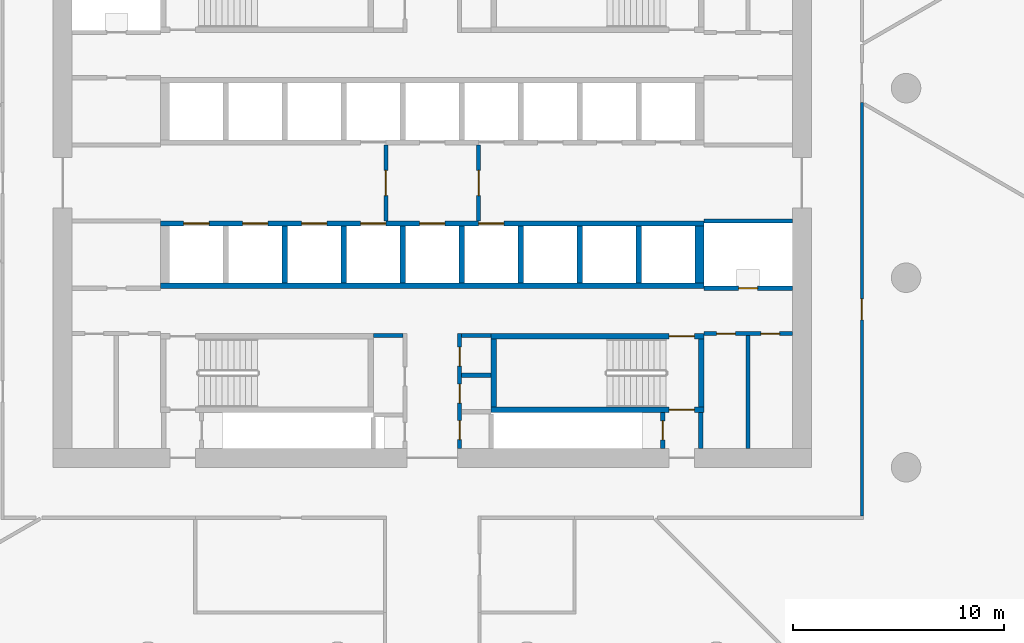
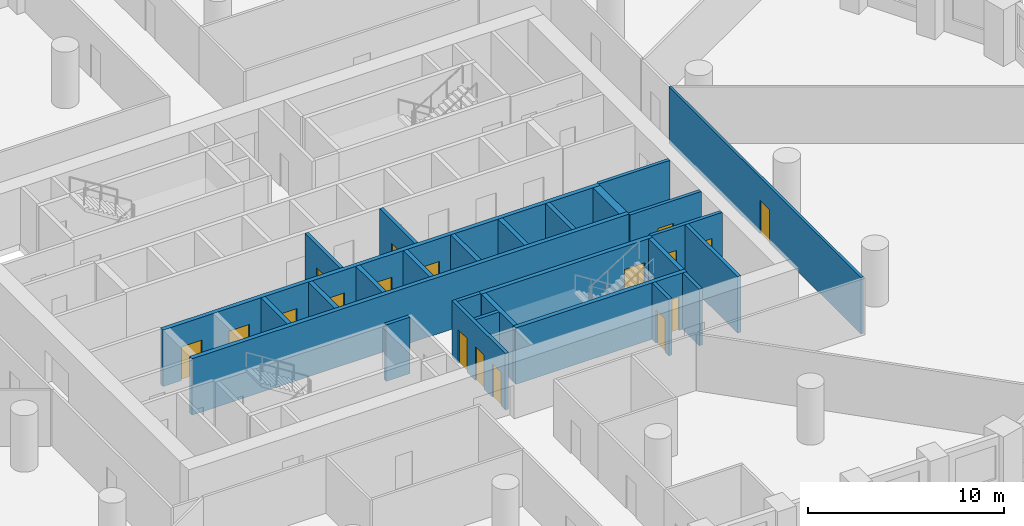
# One storey, part 4 of 10: 27 walls, 18 doors, 18 openings.
"""IFC4 building model written with IfcOpenShell, lengths in metres."""

from ifc_helpers import new_model, si_unit, direction, frame, frame_2d, origin, place, context, subcontext, project, spatial, polyline, rectangle, outline, extrude, material, layer, layer_set, type_object, element, fill, save


model = new_model("IFC4")

# Units and contexts
model_context = context("Model", 3, precision=1e-05, world=origin(), true_north=direction((0.0, 1.0)))
body_context = subcontext(model_context, "Body", "Model", "MODEL_VIEW")
ifc_project = project(units=[si_unit("LENGTHUNIT", "METRE"), si_unit("AREAUNIT", "SQUARE_METRE"), si_unit("VOLUMEUNIT", "CUBIC_METRE"), si_unit("PLANEANGLEUNIT", "RADIAN"), si_unit("MASSUNIT", "GRAM", prefix="KILO")], contexts=[model_context])

# Site, building, storey
site_placement = place(None, origin())
site = spatial("IfcSite", under=ifc_project, at=site_placement, CompositionType="ELEMENT")
building_placement = place(site_placement, origin())
building = spatial("IfcBuilding", under=site, at=building_placement, Name="Dhurran Vertical Campus", CompositionType="ELEMENT")
storey_placement = place(building_placement, frame((0.0, 0.0, 49.5)))
storey = spatial("IfcBuildingStorey", under=building, at=storey_placement, Name="L11", CompositionType="ELEMENT", Elevation=49.5)

# Wall, opening, door
ifc_material_1 = material(Name="Fire-rated masonry blockwork", Category="masonry")
ifc_layer_1 = layer(ifc_material_1, 0.199951171875)
ifc_layer_set_1 = layer_set([ifc_layer_1], Name="Fire-rated masonry blockwork")
wall_type_1 = type_object("IfcWallType", Name="co-FIRE-PARTITION-200", PredefinedType="PARTITIONING", material=ifc_layer_set_1)
wall_1_placement = place(storey_placement, frame((-2.199951171875, -1.800048828125, 0.0), z_axis=(0.0, 0.0, 1.0), x_axis=(0.0, 1.0, 0.0)))
wall_1 = element("IfcWall", 1, at=wall_1_placement, inside=storey, type_object=wall_type_1, Name="Firefighting lobby wall W L11", PredefinedType="PARTITIONING", context=body_context, shape_type="SweptSolid", body=[
    extrude(rectangle(XDim=3.60009765625, YDim=0.199951171875, at=frame_2d((1.800048828125, 0.0))), origin(), (0.0, 0.0, 1.0), 3.52490234375),
])
opening_1_placement = place(wall_1_placement, frame((1.199951171875, 0.0, 0.0)))
opening_1 = element("IfcOpeningElement", 2, at=opening_1_placement, cuts=wall_1, Name="Opening FL1", PredefinedType="OPENING", context=body_context, shape_type="SweptSolid", body=[
    extrude(rectangle(XDim=1.199951171875, YDim=2.10009765625, at=frame_2d((0.60009765625, 1.050048828125))), frame((0.0, 0.10986328125, 0.0), z_axis=(0.0, -1.0, 0.0), x_axis=(1.0, 0.0, 0.0)), (0.0, 0.0, 1.0), 0.219970703125),
])
ifc_material_2 = material(Name="Fire-rated steel door set", Category="steel")
door_type_1 = type_object("IfcDoorType", Name="co-D-FFLOBBY 1200x2100", OperationType="SINGLE_SWING_LEFT", PredefinedType="DOOR", material=ifc_material_2)
door_1_placement = place(opening_1_placement, origin())
door_1 = element("IfcDoor", 3, at=door_1_placement, inside=storey, type_object=door_type_1, Name="Firefighting lobby door W L11", OperationType="SINGLE_SWING_LEFT", OverallHeight=2.10009765625, OverallWidth=1.199951171875, PredefinedType="DOOR", context=body_context, shape_type="SweptSolid", body=[
    extrude(rectangle(XDim=1.199951171875, YDim=2.10009765625, at=frame_2d((0.60009765625, 1.050048828125))), frame((0.0, 0.02490234375, 0.0), z_axis=(0.0, -1.0, 0.0), x_axis=(1.0, 0.0, 0.0)), (0.0, 0.0, 1.0), 0.050048828125),
])
fill(opening_1, door_1)

wall_2_placement = place(storey_placement, frame((2.199951171875, -1.800048828125, 0.0), z_axis=(0.0, 0.0, 1.0), x_axis=(0.0, 1.0, 0.0)))
wall_2 = element("IfcWall", 4, at=wall_2_placement, inside=storey, type_object=wall_type_1, Name="Firefighting lobby wall E L11", PredefinedType="PARTITIONING", context=body_context, shape_type="SweptSolid", body=[
    extrude(rectangle(XDim=3.60009765625, YDim=0.199951171875, at=frame_2d((1.800048828125, 0.0))), origin(), (0.0, 0.0, 1.0), 3.52490234375),
])
opening_2_placement = place(wall_2_placement, frame((1.199951171875, 0.0, 0.0)))
opening_2 = element("IfcOpeningElement", 5, at=opening_2_placement, cuts=wall_2, Name="Opening FL2", PredefinedType="OPENING", context=body_context, shape_type="SweptSolid", body=[
    extrude(rectangle(XDim=1.199951171875, YDim=2.10009765625, at=frame_2d((0.60009765625, 1.050048828125))), frame((0.0, 0.10986328125, 0.0), z_axis=(0.0, -1.0, 0.0), x_axis=(1.0, 0.0, 0.0)), (0.0, 0.0, 1.0), 0.219970703125),
])
door_2_placement = place(opening_2_placement, origin())
door_2 = element("IfcDoor", 6, at=door_2_placement, inside=storey, type_object=door_type_1, Name="Firefighting lobby door E L11", OperationType="SINGLE_SWING_LEFT", OverallHeight=2.10009765625, OverallWidth=1.199951171875, PredefinedType="DOOR", context=body_context, shape_type="SweptSolid", body=[
    extrude(rectangle(XDim=1.199951171875, YDim=2.10009765625, at=frame_2d((0.60009765625, 1.050048828125))), frame((0.0, 0.02490234375, 0.0), z_axis=(0.0, -1.0, 0.0), x_axis=(1.0, 0.0, 0.0)), (0.0, 0.0, 1.0), 0.050048828125),
])
fill(opening_2, door_2)

# Walls
for number, where, z_axis, x_axis, name in (
    (7, (-2.800048828125, -7.25, 0.0), (0.0, 0.0, 1.0), (1.0, 0.0, 0.0), "Core partition sl-SW-S L11"),
    (8, (1.39990234375, -7.25, 0.0), (0.0, 0.0, 1.0), (1.0, 0.0, 0.0), "Core partition sl-SE-S L11"),
    (9, (1.39990234375, -9.135009765625, 0.0), (0.0, 0.0, 1.0), (1.0, 0.0, 0.0), "Core partition sl-SE-cut0 L11"),
):
    element("IfcWall", number, at=place(storey_placement, frame(where, z_axis=z_axis, x_axis=x_axis)), inside=storey, type_object=wall_type_1, Name=name, PredefinedType="PARTITIONING", context=body_context, shape_type="SweptSolid", body=[
        extrude(rectangle(XDim=1.400146484375, YDim=0.199951171875, at=frame_2d((0.7001953125, 0.0))), origin(), (0.0, 0.0, 1.0), 3.52490234375),
    ])

# Wall, openings, doors
wall_3_placement = place(storey_placement, frame((1.300048828125, -12.60009765625, 0.0), z_axis=(0.0, 0.0, 1.0), x_axis=(0.0, 1.0, 0.0)))
wall_3 = element("IfcWall", 10, at=wall_3_placement, inside=storey, type_object=wall_type_1, Name="Core partition vest-SE L11", PredefinedType="PARTITIONING", context=body_context, shape_type="SweptSolid", body=[
    extrude(rectangle(XDim=5.4501953125, YDim=0.199951171875, at=frame_2d((2.72509765625, 0.0))), origin(), (0.0, 0.0, 1.0), 3.52490234375),
])
opening_3_placement = place(wall_3_placement, frame((0.416259765625, 0.0, 0.0)))
opening_3 = element("IfcOpeningElement", 11, at=opening_3_placement, cuts=wall_3, Name="Opening T02-C3", PredefinedType="OPENING", context=body_context, shape_type="SweptSolid", body=[
    extrude(rectangle(XDim=0.89990234375, YDim=2.10009765625, at=frame_2d((0.449951171875, 1.050048828125))), frame((0.0, 0.10986328125, 0.0), z_axis=(0.0, -1.0, 0.0), x_axis=(1.0, 0.0, 0.0)), (0.0, 0.0, 1.0), 0.219970703125),
])
opening_4_placement = place(wall_3_placement, frame((2.148681640625, 0.0, 0.0)))
opening_4 = element("IfcOpeningElement", 12, at=opening_4_placement, cuts=wall_3, Name="Opening T02-C4", PredefinedType="OPENING", context=body_context, shape_type="SweptSolid", body=[
    extrude(rectangle(XDim=0.89990234375, YDim=2.10009765625, at=frame_2d((0.449951171875, 1.050048828125))), frame((0.0, 0.10986328125, 0.0), z_axis=(0.0, -1.0, 0.0), x_axis=(1.0, 0.0, 0.0)), (0.0, 0.0, 1.0), 0.219970703125),
])
opening_5_placement = place(wall_3_placement, frame((3.907470703125, 0.0, 0.0)))
opening_5 = element("IfcOpeningElement", 13, at=opening_5_placement, cuts=wall_3, Name="Opening T02-C5", PredefinedType="OPENING", context=body_context, shape_type="SweptSolid", body=[
    extrude(rectangle(XDim=0.89990234375, YDim=2.10009765625, at=frame_2d((0.449951171875, 1.050048828125))), frame((0.0, 0.10986328125, 0.0), z_axis=(0.0, -1.0, 0.0), x_axis=(1.0, 0.0, 0.0)), (0.0, 0.0, 1.0), 0.219970703125),
])
ifc_material_3 = material(Name="Fire-rated timber door set", Category="wood")
door_type_2 = type_object("IfcDoorType", Name="co-D-ROOM 900x2100", OperationType="SINGLE_SWING_LEFT", PredefinedType="DOOR", material=ifc_material_3)
door_3_placement = place(opening_3_placement, origin())
door_3 = element("IfcDoor", 14, at=door_3_placement, inside=storey, type_object=door_type_2, Name="Housekeeping store door L11", OperationType="SINGLE_SWING_LEFT", OverallHeight=2.10009765625, OverallWidth=0.89990234375, PredefinedType="DOOR", context=body_context, shape_type="SweptSolid", body=[
    extrude(rectangle(XDim=0.89990234375, YDim=2.10009765625, at=frame_2d((0.449951171875, 1.050048828125))), frame((0.0, 0.02490234375, 0.0), z_axis=(0.0, -1.0, 0.0), x_axis=(1.0, 0.0, 0.0)), (0.0, 0.0, 1.0), 0.050048828125),
])
fill(opening_3, door_3)
door_4_placement = place(opening_4_placement, origin())
door_4 = element("IfcDoor", 15, at=door_4_placement, inside=storey, type_object=door_type_2, Name="Print room door L11", OperationType="SINGLE_SWING_LEFT", OverallHeight=2.10009765625, OverallWidth=0.89990234375, PredefinedType="DOOR", context=body_context, shape_type="SweptSolid", body=[
    extrude(rectangle(XDim=0.89990234375, YDim=2.10009765625, at=frame_2d((0.449951171875, 1.050048828125))), frame((0.0, 0.02490234375, 0.0), z_axis=(0.0, -1.0, 0.0), x_axis=(1.0, 0.0, 0.0)), (0.0, 0.0, 1.0), 0.050048828125),
])
fill(opening_4, door_4)
door_5_placement = place(opening_5_placement, origin())
door_5 = element("IfcDoor", 16, at=door_5_placement, inside=storey, type_object=door_type_2, Name="Communications room door L11", OperationType="SINGLE_SWING_LEFT", OverallHeight=2.10009765625, OverallWidth=0.89990234375, PredefinedType="DOOR", context=body_context, shape_type="SweptSolid", body=[
    extrude(rectangle(XDim=0.89990234375, YDim=2.10009765625, at=frame_2d((0.449951171875, 1.050048828125))), frame((0.0, 0.02490234375, 0.0), z_axis=(0.0, -1.0, 0.0), x_axis=(1.0, 0.0, 0.0)), (0.0, 0.0, 1.0), 0.050048828125),
])
fill(opening_5, door_5)

# Wall
wall_4_placement = place(storey_placement, frame((12.75, -12.60009765625, 0.0), z_axis=(0.0, 0.0, 1.0), x_axis=(0.0, 1.0, 0.0)))
element("IfcWall", 17, at=wall_4_placement, inside=storey, type_object=wall_type_1, Name="Core partition pass-ST4-o L11", PredefinedType="PARTITIONING", context=body_context, shape_type="SweptSolid", body=[
    extrude(rectangle(XDim=1.7001953125, YDim=0.199951171875, at=frame_2d((0.85009765625, 0.0))), origin(), (0.0, 0.0, 1.0), 3.52490234375),
])

# Wall, opening, door
wall_5_placement = place(storey_placement, frame((10.949951171875, -12.60009765625, 0.0), z_axis=(0.0, 0.0, 1.0), x_axis=(0.0, 1.0, 0.0)))
wall_5 = element("IfcWall", 18, at=wall_5_placement, inside=storey, type_object=wall_type_1, Name="Core partition pass-ST4-i L11", PredefinedType="PARTITIONING", context=body_context, shape_type="SweptSolid", body=[
    extrude(rectangle(XDim=1.7001953125, YDim=0.199951171875, at=frame_2d((0.85009765625, 0.0))), origin(), (0.0, 0.0, 1.0), 3.52490234375),
])
opening_6_placement = place(wall_5_placement, frame((0.39990234375, 0.0, 0.0)))
opening_6 = element("IfcOpeningElement", 19, at=opening_6_placement, cuts=wall_5, Name="Opening T02-C13", PredefinedType="OPENING", context=body_context, shape_type="SweptSolid", body=[
    extrude(rectangle(XDim=0.89990234375, YDim=2.10009765625, at=frame_2d((0.449951171875, 1.050048828125))), frame((0.0, 0.10986328125, 0.0), z_axis=(0.0, -1.0, 0.0), x_axis=(1.0, 0.0, 0.0)), (0.0, 0.0, 1.0), 0.219970703125),
])
door_6_placement = place(opening_6_placement, origin())
door_6 = element("IfcDoor", 20, at=door_6_placement, inside=storey, type_object=door_type_2, Name="Riser room door L11", OperationType="SINGLE_SWING_LEFT", OverallHeight=2.10009765625, OverallWidth=0.89990234375, PredefinedType="DOOR", context=body_context, shape_type="SweptSolid", body=[
    extrude(rectangle(XDim=0.89990234375, YDim=2.10009765625, at=frame_2d((0.449951171875, 1.050048828125))), frame((0.0, 0.02490234375, 0.0), z_axis=(0.0, -1.0, 0.0), x_axis=(1.0, 0.0, 0.0)), (0.0, 0.0, 1.0), 0.050048828125),
])
fill(opening_6, door_6)

# Wall
wall_6_placement = place(storey_placement, frame((15.0, -12.60009765625, 0.0), z_axis=(0.0, 0.0, 1.0), x_axis=(0.0, 1.0, 0.0)))
element("IfcWall", 21, at=wall_6_placement, inside=storey, type_object=wall_type_1, Name="Core partition en-SE-cut0 L11", PredefinedType="PARTITIONING", context=body_context, shape_type="SweptSolid", body=[
    extrude(rectangle(XDim=5.4501953125, YDim=0.199951171875, at=frame_2d((2.72509765625, 0.0))), origin(), (0.0, 0.0, 1.0), 3.52490234375),
])

# Wall, openings, doors
wall_7_placement = place(storey_placement, frame((12.89990234375, -7.14990234375, 0.0), z_axis=(0.0, 0.0, 1.0), x_axis=(1.0, 0.0, 0.0)))
wall_7 = element("IfcWall", 22, at=wall_7_placement, inside=storey, type_object=wall_type_1, Name="Core partition en-SE-w L11", PredefinedType="PARTITIONING", context=body_context, shape_type="SweptSolid", body=[
    extrude(rectangle(XDim=4.2001953125, YDim=0.199951171875, at=frame_2d((2.10009765625, 0.0))), origin(), (0.0, 0.0, 1.0), 3.52490234375),
])
opening_7_placement = place(wall_7_placement, frame((0.60009765625, 0.0, 0.0)))
opening_7 = element("IfcOpeningElement", 23, at=opening_7_placement, cuts=wall_7, Name="Opening T02-C22", PredefinedType="OPENING", context=body_context, shape_type="SweptSolid", body=[
    extrude(rectangle(XDim=0.89990234375, YDim=2.10009765625, at=frame_2d((0.449951171875, 1.050048828125))), frame((0.0, 0.10986328125, 0.0), z_axis=(0.0, -1.0, 0.0), x_axis=(1.0, 0.0, 0.0)), (0.0, 0.0, 1.0), 0.219970703125),
])
opening_8_placement = place(wall_7_placement, frame((2.699951171875, 0.0, 0.0)))
opening_8 = element("IfcOpeningElement", 24, at=opening_8_placement, cuts=wall_7, Name="Opening T02-C23", PredefinedType="OPENING", context=body_context, shape_type="SweptSolid", body=[
    extrude(rectangle(XDim=0.89990234375, YDim=2.10009765625, at=frame_2d((0.449951171875, 1.050048828125))), frame((0.0, 0.10986328125, 0.0), z_axis=(0.0, -1.0, 0.0), x_axis=(1.0, 0.0, 0.0)), (0.0, 0.0, 1.0), 0.219970703125),
])
door_7_placement = place(opening_7_placement, origin())
door_7 = element("IfcDoor", 25, at=door_7_placement, inside=storey, type_object=door_type_2, Name="Store door L11", OperationType="SINGLE_SWING_LEFT", OverallHeight=2.10009765625, OverallWidth=0.89990234375, PredefinedType="DOOR", context=body_context, shape_type="SweptSolid", body=[
    extrude(rectangle(XDim=0.89990234375, YDim=2.10009765625, at=frame_2d((0.449951171875, 1.050048828125))), frame((0.0, 0.02490234375, 0.0), z_axis=(0.0, -1.0, 0.0), x_axis=(1.0, 0.0, 0.0)), (0.0, 0.0, 1.0), 0.050048828125),
])
fill(opening_7, door_7)
door_8_placement = place(opening_8_placement, origin())
door_8 = element("IfcDoor", 26, at=door_8_placement, inside=storey, type_object=door_type_2, Name="Housekeeping store door L11", OperationType="SINGLE_SWING_LEFT", OverallHeight=2.10009765625, OverallWidth=0.89990234375, PredefinedType="DOOR", context=body_context, shape_type="SweptSolid", body=[
    extrude(rectangle(XDim=0.89990234375, YDim=2.10009765625, at=frame_2d((0.449951171875, 1.050048828125))), frame((0.0, 0.02490234375, 0.0), z_axis=(0.0, -1.0, 0.0), x_axis=(1.0, 0.0, 0.0)), (0.0, 0.0, 1.0), 0.050048828125),
])
fill(opening_8, door_8)

# Wall, opening, door
wall_8_placement = place(storey_placement, frame((12.89990234375, -5.0, 0.0), z_axis=(0.0, 0.0, 1.0), x_axis=(1.0, 0.0, 0.0)))
wall_8 = element("IfcWall", 27, at=wall_8_placement, inside=storey, type_object=wall_type_1, Name="Core partition es-SE-w L11", PredefinedType="PARTITIONING", context=body_context, shape_type="SweptSolid", body=[
    extrude(rectangle(XDim=4.2001953125, YDim=0.199951171875, at=frame_2d((2.10009765625, 0.0))), origin(), (0.0, 0.0, 1.0), 3.52490234375),
])
opening_9_placement = place(wall_8_placement, frame((1.64990234375, 0.0, 0.0)))
opening_9 = element("IfcOpeningElement", 28, at=opening_9_placement, cuts=wall_8, Name="Opening T02-C24", PredefinedType="OPENING", context=body_context, shape_type="SweptSolid", body=[
    extrude(rectangle(XDim=0.89990234375, YDim=2.10009765625, at=frame_2d((0.449951171875, 1.050048828125))), frame((0.0, 0.10986328125, 0.0), z_axis=(0.0, -1.0, 0.0), x_axis=(1.0, 0.0, 0.0)), (0.0, 0.0, 1.0), 0.219970703125),
])
door_9_placement = place(opening_9_placement, origin())
door_9 = element("IfcDoor", 29, at=door_9_placement, inside=storey, type_object=door_type_2, Name="Water riser door L11", OperationType="SINGLE_SWING_LEFT", OverallHeight=2.10009765625, OverallWidth=0.89990234375, PredefinedType="DOOR", context=body_context, shape_type="SweptSolid", body=[
    extrude(rectangle(XDim=0.89990234375, YDim=2.10009765625, at=frame_2d((0.449951171875, 1.050048828125))), frame((0.0, 0.02490234375, 0.0), z_axis=(0.0, -1.0, 0.0), x_axis=(1.0, 0.0, 0.0)), (0.0, 0.0, 1.0), 0.050048828125),
])
fill(opening_9, door_9)

# Wall
wall_9_placement = place(storey_placement, frame((12.89990234375, -1.800048828125, 0.0), z_axis=(0.0, 0.0, 1.0), x_axis=(1.0, 0.0, 0.0)))
element("IfcWall", 30, at=wall_9_placement, inside=storey, type_object=wall_type_1, Name="Core partition es-SE-l L11", PredefinedType="PARTITIONING", context=body_context, shape_type="SweptSolid", body=[
    extrude(rectangle(XDim=4.2001953125, YDim=0.199951171875, at=frame_2d((2.10009765625, 0.0))), origin(), (0.0, 0.0, 1.0), 3.52490234375),
])

# Wall, openings, doors
ifc_material_4 = material(Name="Concrete C50/60", Category="concrete")
ifc_layer_2 = layer(ifc_material_4, 0.25)
ifc_layer_set_2 = layer_set([ifc_layer_2], Name="Concrete C50/60")
wall_type_2 = type_object("IfcWallType", Name="co-SHAFT-FRONT-250", PredefinedType="SHEAR", material=ifc_layer_set_2)
wall_10_placement = place(storey_placement, frame((-12.89990234375, -1.925048828125, 0.0), z_axis=(0.0, 0.0, 1.0), x_axis=(1.0, 0.0, 0.0)))
wall_10 = element("IfcWall", 31, at=wall_10_placement, inside=storey, type_object=wall_type_2, Name="Lift landing wall S L11", PredefinedType="SHEAR", context=body_context, shape_type="SweptSolid", body=[
    extrude(rectangle(XDim=25.7998046875, YDim=0.25, at=frame_2d((12.89990234375, 0.0))), origin(), (0.0, 0.0, 1.0), 3.52490234375),
])
opening_10_placement = place(wall_10_placement, frame((1.10009765625, 0.0, 0.0)))
opening_10 = element("IfcOpeningElement", 32, at=opening_10_placement, cuts=wall_10, Name="Opening LD", PredefinedType="OPENING", context=body_context, shape_type="SweptSolid", body=[
    extrude(rectangle(XDim=1.199951171875, YDim=2.10009765625, at=frame_2d((0.60009765625, 1.050048828125))), frame((0.0, 0.135009765625, 0.0), z_axis=(0.0, -1.0, 0.0), x_axis=(1.0, 0.0, 0.0)), (0.0, 0.0, 1.0), 0.27001953125),
])
opening_11_placement = place(wall_10_placement, frame((3.89990234375, 0.0, 0.0)))
opening_11 = element("IfcOpeningElement", 33, at=opening_11_placement, cuts=wall_10, Name="Opening LD", PredefinedType="OPENING", context=body_context, shape_type="SweptSolid", body=[
    extrude(rectangle(XDim=1.199951171875, YDim=2.10009765625, at=frame_2d((0.60009765625, 1.050048828125))), frame((0.0, 0.135009765625, 0.0), z_axis=(0.0, -1.0, 0.0), x_axis=(1.0, 0.0, 0.0)), (0.0, 0.0, 1.0), 0.27001953125),
])
opening_12_placement = place(wall_10_placement, frame((6.699951171875, 0.0, 0.0)))
opening_12 = element("IfcOpeningElement", 34, at=opening_12_placement, cuts=wall_10, Name="Opening LD", PredefinedType="OPENING", context=body_context, shape_type="SweptSolid", body=[
    extrude(rectangle(XDim=1.199951171875, YDim=2.10009765625, at=frame_2d((0.60009765625, 1.050048828125))), frame((0.0, 0.135009765625, 0.0), z_axis=(0.0, -1.0, 0.0), x_axis=(1.0, 0.0, 0.0)), (0.0, 0.0, 1.0), 0.27001953125),
])
opening_13_placement = place(wall_10_placement, frame((9.5, 0.0, 0.0)))
opening_13 = element("IfcOpeningElement", 35, at=opening_13_placement, cuts=wall_10, Name="Opening LD", PredefinedType="OPENING", context=body_context, shape_type="SweptSolid", body=[
    extrude(rectangle(XDim=1.199951171875, YDim=2.10009765625, at=frame_2d((0.60009765625, 1.050048828125))), frame((0.0, 0.135009765625, 0.0), z_axis=(0.0, -1.0, 0.0), x_axis=(1.0, 0.0, 0.0)), (0.0, 0.0, 1.0), 0.27001953125),
])
opening_14_placement = place(wall_10_placement, frame((12.300048828125, 0.0, 0.0)))
opening_14 = element("IfcOpeningElement", 36, at=opening_14_placement, cuts=wall_10, Name="Opening LD", PredefinedType="OPENING", context=body_context, shape_type="SweptSolid", body=[
    extrude(rectangle(XDim=1.199951171875, YDim=2.10009765625, at=frame_2d((0.60009765625, 1.050048828125))), frame((0.0, 0.135009765625, 0.0), z_axis=(0.0, -1.0, 0.0), x_axis=(1.0, 0.0, 0.0)), (0.0, 0.0, 1.0), 0.27001953125),
])
opening_15_placement = place(wall_10_placement, frame((15.10009765625, 0.0, 0.0)))
opening_15 = element("IfcOpeningElement", 37, at=opening_15_placement, cuts=wall_10, Name="Opening LD", PredefinedType="OPENING", context=body_context, shape_type="SweptSolid", body=[
    extrude(rectangle(XDim=1.199951171875, YDim=2.10009765625, at=frame_2d((0.60009765625, 1.050048828125))), frame((0.0, 0.135009765625, 0.0), z_axis=(0.0, -1.0, 0.0), x_axis=(1.0, 0.0, 0.0)), (0.0, 0.0, 1.0), 0.27001953125),
])
ifc_material_5 = material(Name="Stainless steel landing door", Category="steel")
door_type_3 = type_object("IfcDoorType", Name="co-D-LANDING 1200x2100", OperationType="DOUBLE_DOOR_SLIDING", PredefinedType="DOOR", material=ifc_material_5)
door_10_placement = place(opening_10_placement, origin())
door_10 = element("IfcDoor", 38, at=door_10_placement, inside=storey, type_object=door_type_3, Name="Landing door LR5 L11", OperationType="DOUBLE_DOOR_SLIDING", OverallHeight=2.10009765625, OverallWidth=1.199951171875, PredefinedType="DOOR", context=body_context, shape_type="SweptSolid", body=[
    extrude(rectangle(XDim=1.199951171875, YDim=2.10009765625, at=frame_2d((0.60009765625, 1.050048828125))), frame((0.0, 0.02490234375, 0.0), z_axis=(0.0, -1.0, 0.0), x_axis=(1.0, 0.0, 0.0)), (0.0, 0.0, 1.0), 0.050048828125),
])
fill(opening_10, door_10)
door_11_placement = place(opening_11_placement, origin())
door_11 = element("IfcDoor", 39, at=door_11_placement, inside=storey, type_object=door_type_3, Name="Landing door LR6 L11", OperationType="DOUBLE_DOOR_SLIDING", OverallHeight=2.10009765625, OverallWidth=1.199951171875, PredefinedType="DOOR", context=body_context, shape_type="SweptSolid", body=[
    extrude(rectangle(XDim=1.199951171875, YDim=2.10009765625, at=frame_2d((0.60009765625, 1.050048828125))), frame((0.0, 0.02490234375, 0.0), z_axis=(0.0, -1.0, 0.0), x_axis=(1.0, 0.0, 0.0)), (0.0, 0.0, 1.0), 0.050048828125),
])
fill(opening_11, door_11)
door_12_placement = place(opening_12_placement, origin())
door_12 = element("IfcDoor", 40, at=door_12_placement, inside=storey, type_object=door_type_3, Name="Landing door LR7 L11", OperationType="DOUBLE_DOOR_SLIDING", OverallHeight=2.10009765625, OverallWidth=1.199951171875, PredefinedType="DOOR", context=body_context, shape_type="SweptSolid", body=[
    extrude(rectangle(XDim=1.199951171875, YDim=2.10009765625, at=frame_2d((0.60009765625, 1.050048828125))), frame((0.0, 0.02490234375, 0.0), z_axis=(0.0, -1.0, 0.0), x_axis=(1.0, 0.0, 0.0)), (0.0, 0.0, 1.0), 0.050048828125),
])
fill(opening_12, door_12)
door_13_placement = place(opening_13_placement, origin())
door_13 = element("IfcDoor", 41, at=door_13_placement, inside=storey, type_object=door_type_3, Name="Landing door LR8 L11", OperationType="DOUBLE_DOOR_SLIDING", OverallHeight=2.10009765625, OverallWidth=1.199951171875, PredefinedType="DOOR", context=body_context, shape_type="SweptSolid", body=[
    extrude(rectangle(XDim=1.199951171875, YDim=2.10009765625, at=frame_2d((0.60009765625, 1.050048828125))), frame((0.0, 0.02490234375, 0.0), z_axis=(0.0, -1.0, 0.0), x_axis=(1.0, 0.0, 0.0)), (0.0, 0.0, 1.0), 0.050048828125),
])
fill(opening_13, door_13)
door_14_placement = place(opening_14_placement, origin())
door_14 = element("IfcDoor", 42, at=door_14_placement, inside=storey, type_object=door_type_3, Name="Landing door FF2 L11", OperationType="DOUBLE_DOOR_SLIDING", OverallHeight=2.10009765625, OverallWidth=1.199951171875, PredefinedType="DOOR", context=body_context, shape_type="SweptSolid", body=[
    extrude(rectangle(XDim=1.199951171875, YDim=2.10009765625, at=frame_2d((0.60009765625, 1.050048828125))), frame((0.0, 0.02490234375, 0.0), z_axis=(0.0, -1.0, 0.0), x_axis=(1.0, 0.0, 0.0)), (0.0, 0.0, 1.0), 0.050048828125),
])
fill(opening_14, door_14)
door_15_placement = place(opening_15_placement, origin())
door_15 = element("IfcDoor", 43, at=door_15_placement, inside=storey, type_object=door_type_3, Name="Landing door SV1 L11", OperationType="DOUBLE_DOOR_SLIDING", OverallHeight=2.10009765625, OverallWidth=1.199951171875, PredefinedType="DOOR", context=body_context, shape_type="SweptSolid", body=[
    extrude(rectangle(XDim=1.199951171875, YDim=2.10009765625, at=frame_2d((0.60009765625, 1.050048828125))), frame((0.0, 0.02490234375, 0.0), z_axis=(0.0, -1.0, 0.0), x_axis=(1.0, 0.0, 0.0)), (0.0, 0.0, 1.0), 0.050048828125),
])
fill(opening_15, door_15)

# Walls
ifc_material_6 = material(Name="Concrete C50/60", Category="concrete")
ifc_layer_3 = layer(ifc_material_6, 0.25)
ifc_layer_set_3 = layer_set([ifc_layer_3], Name="Concrete C50/60")
wall_type_3 = type_object("IfcWallType", Name="co-SHAFT-MASS-250", PredefinedType="SHEAR", material=ifc_layer_set_3)
wall_11_placement = place(storey_placement, origin())
element("IfcWall", 44, at=wall_11_placement, inside=storey, type_object=wall_type_3, Name="Lift shaft wall S L11 1", PredefinedType="SHEAR", context=body_context, shape_type="SweptSolid", body=[
    extrude(outline(polyline([(-12.89990234375, -5.0), (12.89990234375, -5.0), (12.89990234375, -4.75), (-12.89990234375, -4.75), (-12.89990234375, -5.0)])), origin(), (0.0, 0.0, 1.0), 3.52490234375),
])
wall_12_placement = place(storey_placement, origin())
element("IfcWall", 45, at=wall_12_placement, inside=storey, type_object=wall_type_3, Name="Lift shaft wall S L11 4", PredefinedType="SHEAR", context=body_context, shape_type="SweptSolid", body=[
    extrude(outline(polyline([(-7.125, -4.75), (-6.875, -4.75), (-6.875, -2.050048828125), (-7.125, -2.050048828125), (-7.125, -4.75)])), origin(), (0.0, 0.0, 1.0), 3.52490234375),
])
wall_13_placement = place(storey_placement, origin())
element("IfcWall", 46, at=wall_13_placement, inside=storey, type_object=wall_type_3, Name="Lift shaft wall S L11 5", PredefinedType="SHEAR", context=body_context, shape_type="SweptSolid", body=[
    extrude(outline(polyline([(-4.324951171875, -4.75), (-4.074951171875, -4.75), (-4.074951171875, -2.050048828125), (-4.324951171875, -2.050048828125), (-4.324951171875, -4.75)])), origin(), (0.0, 0.0, 1.0), 3.52490234375),
])
wall_14_placement = place(storey_placement, origin())
element("IfcWall", 47, at=wall_14_placement, inside=storey, type_object=wall_type_3, Name="Lift shaft wall S L11 6", PredefinedType="SHEAR", context=body_context, shape_type="SweptSolid", body=[
    extrude(outline(polyline([(-1.52490234375, -4.75), (-1.27490234375, -4.75), (-1.27490234375, -2.050048828125), (-1.52490234375, -2.050048828125), (-1.52490234375, -4.75)])), origin(), (0.0, 0.0, 1.0), 3.52490234375),
])
wall_15_placement = place(storey_placement, origin())
element("IfcWall", 48, at=wall_15_placement, inside=storey, type_object=wall_type_3, Name="Lift shaft wall S L11 7", PredefinedType="SHEAR", context=body_context, shape_type="SweptSolid", body=[
    extrude(outline(polyline([(1.27490234375, -4.75), (1.52490234375, -4.75), (1.52490234375, -2.050048828125), (1.27490234375, -2.050048828125), (1.27490234375, -4.75)])), origin(), (0.0, 0.0, 1.0), 3.52490234375),
])
wall_16_placement = place(storey_placement, origin())
element("IfcWall", 49, at=wall_16_placement, inside=storey, type_object=wall_type_3, Name="Lift shaft wall S L11 8", PredefinedType="SHEAR", context=body_context, shape_type="SweptSolid", body=[
    extrude(outline(polyline([(4.074951171875, -4.75), (4.324951171875, -4.75), (4.324951171875, -2.050048828125), (4.074951171875, -2.050048828125), (4.074951171875, -4.75)])), origin(), (0.0, 0.0, 1.0), 3.52490234375),
])
wall_17_placement = place(storey_placement, origin())
element("IfcWall", 50, at=wall_17_placement, inside=storey, type_object=wall_type_3, Name="Lift shaft wall S L11 9", PredefinedType="SHEAR", context=body_context, shape_type="SweptSolid", body=[
    extrude(outline(polyline([(6.875, -4.75), (7.125, -4.75), (7.125, -2.050048828125), (6.875, -2.050048828125), (6.875, -4.75)])), origin(), (0.0, 0.0, 1.0), 3.52490234375),
])
wall_18_placement = place(storey_placement, origin())
element("IfcWall", 51, at=wall_18_placement, inside=storey, type_object=wall_type_3, Name="Lift shaft wall S L11 10", PredefinedType="SHEAR", context=body_context, shape_type="SweptSolid", body=[
    extrude(outline(polyline([(9.675048828125, -4.75), (9.925048828125, -4.75), (9.925048828125, -2.050048828125), (9.675048828125, -2.050048828125), (9.675048828125, -4.75)])), origin(), (0.0, 0.0, 1.0), 3.52490234375),
])
wall_19_placement = place(storey_placement, origin())
element("IfcWall", 52, at=wall_19_placement, inside=storey, type_object=wall_type_3, Name="Lift shaft wall S L11 11", PredefinedType="SHEAR", context=body_context, shape_type="SweptSolid", body=[
    extrude(outline(polyline([(12.47509765625, -4.75), (12.89990234375, -4.75), (12.89990234375, -2.050048828125), (12.47509765625, -2.050048828125), (12.47509765625, -4.75)])), origin(), (0.0, 0.0, 1.0), 3.52490234375),
])

# Wall, opening, door
ifc_material_7 = material(Name="Concrete C40/50", Category="concrete")
ifc_layer_4 = layer(ifc_material_7, 0.25)
ifc_layer_set_4 = layer_set([ifc_layer_4], Name="Concrete C40/50")
wall_type_4 = type_object("IfcWallType", Name="co-STAIR-WALL-250", PredefinedType="SHEAR", material=ifc_layer_set_4)
wall_20_placement = place(storey_placement, frame((2.800048828125, -10.77490234375, 0.0), z_axis=(0.0, 0.0, 1.0), x_axis=(1.0, 0.0, 0.0)))
wall_20 = element("IfcWall", 53, at=wall_20_placement, inside=storey, type_object=wall_type_4, Name="Stair ST4 enclosure wall L11", PredefinedType="SHEAR", context=body_context, shape_type="SweptSolid", body=[
    extrude(rectangle(XDim=10.099853515625, YDim=0.25, at=frame_2d((5.0498046875, 0.0))), origin(), (0.0, 0.0, 1.0), 3.52490234375),
])
opening_16_placement = place(wall_20_placement, frame((8.449951171875, 0.0, 0.0)))
opening_16 = element("IfcOpeningElement", 54, at=opening_16_placement, cuts=wall_20, Name="Opening XS4", PredefinedType="OPENING", context=body_context, shape_type="SweptSolid", body=[
    extrude(rectangle(XDim=1.199951171875, YDim=2.10009765625, at=frame_2d((0.60009765625, 1.050048828125))), frame((0.0, 0.135009765625, 0.0), z_axis=(0.0, -1.0, 0.0), x_axis=(1.0, 0.0, 0.0)), (0.0, 0.0, 1.0), 0.27001953125),
])
ifc_material_8 = material(Name="Fire-rated steel door set", Category="steel")
door_type_4 = type_object("IfcDoorType", Name="co-D-STAIR-EXIT 1200x2100", OperationType="SINGLE_SWING_RIGHT", PredefinedType="DOOR", material=ifc_material_8)
door_16_placement = place(opening_16_placement, origin())
door_16 = element("IfcDoor", 55, at=door_16_placement, inside=storey, type_object=door_type_4, Name="Stair ST4 discharge door L11", OperationType="SINGLE_SWING_RIGHT", OverallHeight=2.10009765625, OverallWidth=1.199951171875, PredefinedType="DOOR", context=body_context, shape_type="SweptSolid", body=[
    extrude(rectangle(XDim=1.199951171875, YDim=2.10009765625, at=frame_2d((0.60009765625, 1.050048828125))), frame((0.0, 0.02490234375, 0.0), z_axis=(0.0, -1.0, 0.0), x_axis=(1.0, 0.0, 0.0)), (0.0, 0.0, 1.0), 0.050048828125),
])
fill(opening_16, door_16)

wall_21_placement = place(storey_placement, frame((2.800048828125, -7.27490234375, 0.0), z_axis=(0.0, 0.0, 1.0), x_axis=(1.0, 0.0, 0.0)))
wall_21 = element("IfcWall", 56, at=wall_21_placement, inside=storey, type_object=wall_type_4, Name="Stair ST4 enclosure wall L11", PredefinedType="SHEAR", context=body_context, shape_type="SweptSolid", body=[
    extrude(rectangle(XDim=10.099853515625, YDim=0.25, at=frame_2d((5.0498046875, 0.0))), origin(), (0.0, 0.0, 1.0), 3.52490234375),
])
opening_17_placement = place(wall_21_placement, frame((8.449951171875, 0.0, 0.0)))
opening_17 = element("IfcOpeningElement", 57, at=opening_17_placement, cuts=wall_21, Name="Opening SD4", PredefinedType="OPENING", context=body_context, shape_type="SweptSolid", body=[
    extrude(rectangle(XDim=1.199951171875, YDim=2.10009765625, at=frame_2d((0.60009765625, 1.050048828125))), frame((0.0, 0.135009765625, 0.0), z_axis=(0.0, -1.0, 0.0), x_axis=(1.0, 0.0, 0.0)), (0.0, 0.0, 1.0), 0.27001953125),
])
ifc_material_9 = material(Name="Fire-rated steel door set", Category="steel")
door_type_5 = type_object("IfcDoorType", Name="co-D-STAIR 1200x2100", OperationType="SINGLE_SWING_LEFT", PredefinedType="DOOR", material=ifc_material_9)
door_17_placement = place(opening_17_placement, origin())
door_17 = element("IfcDoor", 58, at=door_17_placement, inside=storey, type_object=door_type_5, Name="Stair ST4 door L11", OperationType="SINGLE_SWING_LEFT", OverallHeight=2.10009765625, OverallWidth=1.199951171875, PredefinedType="DOOR", context=body_context, shape_type="SweptSolid", body=[
    extrude(rectangle(XDim=1.199951171875, YDim=2.10009765625, at=frame_2d((0.60009765625, 1.050048828125))), frame((0.0, 0.02490234375, 0.0), z_axis=(0.0, -1.0, 0.0), x_axis=(1.0, 0.0, 0.0)), (0.0, 0.0, 1.0), 0.050048828125),
])
fill(opening_17, door_17)

# Walls
for number, where, z_axis, x_axis, name in (
    (59, (2.925048828125, -10.64990234375, 0.0), (0.0, 0.0, 1.0), (0.0, 1.0, 0.0), "Stair ST4 enclosure wall L11"),
    (60, (12.77490234375, -10.64990234375, 0.0), (0.0, 0.0, 1.0), (0.0, 1.0, 0.0), "Stair ST4 enclosure wall L11"),
):
    element("IfcWall", number, at=place(storey_placement, frame(where, z_axis=z_axis, x_axis=x_axis)), inside=storey, type_object=wall_type_4, Name=name, PredefinedType="SHEAR", context=body_context, shape_type="SweptSolid", body=[
        extrude(rectangle(XDim=3.25, YDim=0.25, at=frame_2d((1.625, 0.0))), origin(), (0.0, 0.0, 1.0), 3.52490234375),
    ])

# Wall, opening, door
ifc_material_10 = material(Name="Gypsum board corridor wall on steel studs", Category="steel")
ifc_layer_5 = layer(ifc_material_10, 0.14990234375)
ifc_layer_set_5 = layer_set([ifc_layer_5], Name="Gypsum board corridor wall on steel studs")
wall_type_5 = type_object("IfcWallType", Name="fl-CW-150 corridor wall", PredefinedType="PARTITIONING", material=ifc_layer_set_5)
wall_22_placement = place(storey_placement, frame((20.39990234375, -15.824951171875, 0.0), z_axis=(0.0, 0.0, 1.0), x_axis=(0.0, 1.0, 0.0)))
wall_22 = element("IfcWall", 61, at=wall_22_placement, inside=storey, type_object=wall_type_5, Name="Partition 11-39", PredefinedType="PARTITIONING", context=body_context, shape_type="SweptSolid", body=[
    extrude(rectangle(XDim=19.635986328125, YDim=0.14990234375, at=frame_2d((9.81787109375, 0.0))), origin(), (0.0, 0.0, 1.0), 3.52490234375),
])
opening_18_placement = place(wall_22_placement, frame((9.318115234375, 0.0, 0.0)))
opening_18 = element("IfcOpeningElement", 62, at=opening_18_placement, cuts=wall_22, Name="Opening T02.14", PredefinedType="OPENING", context=body_context, shape_type="SweptSolid", body=[
    extrude(rectangle(XDim=1.0, YDim=2.10009765625, at=frame_2d((0.5, 1.050048828125))), frame((0.0, 0.0849609375, 0.0), z_axis=(0.0, -1.0, 0.0), x_axis=(1.0, 0.0, 0.0)), (0.0, 0.0, 1.0), 0.169921875),
])
ifc_material_11 = material(Name="Solid-core timber door set, fire-rated", Category="wood")
door_type_6 = type_object("IfcDoorType", Name="fl-D-1000x2100", OperationType="SINGLE_SWING_LEFT", PredefinedType="DOOR", material=ifc_material_11)
door_18_placement = place(opening_18_placement, origin())
door_18 = element("IfcDoor", 63, at=door_18_placement, inside=storey, type_object=door_type_6, Name="Door 11.14", OperationType="SINGLE_SWING_LEFT", OverallHeight=2.10009765625, OverallWidth=1.0, PredefinedType="DOOR", context=body_context, shape_type="SweptSolid", body=[
    extrude(rectangle(XDim=1.0, YDim=2.10009765625, at=frame_2d((0.5, 1.050048828125))), frame((0.0, 0.02490234375, 0.0), z_axis=(0.0, -1.0, 0.0), x_axis=(1.0, 0.0, 0.0)), (0.0, 0.0, 1.0), 0.050048828125),
])
fill(opening_18, door_18)

save(model, "model.ifc")
